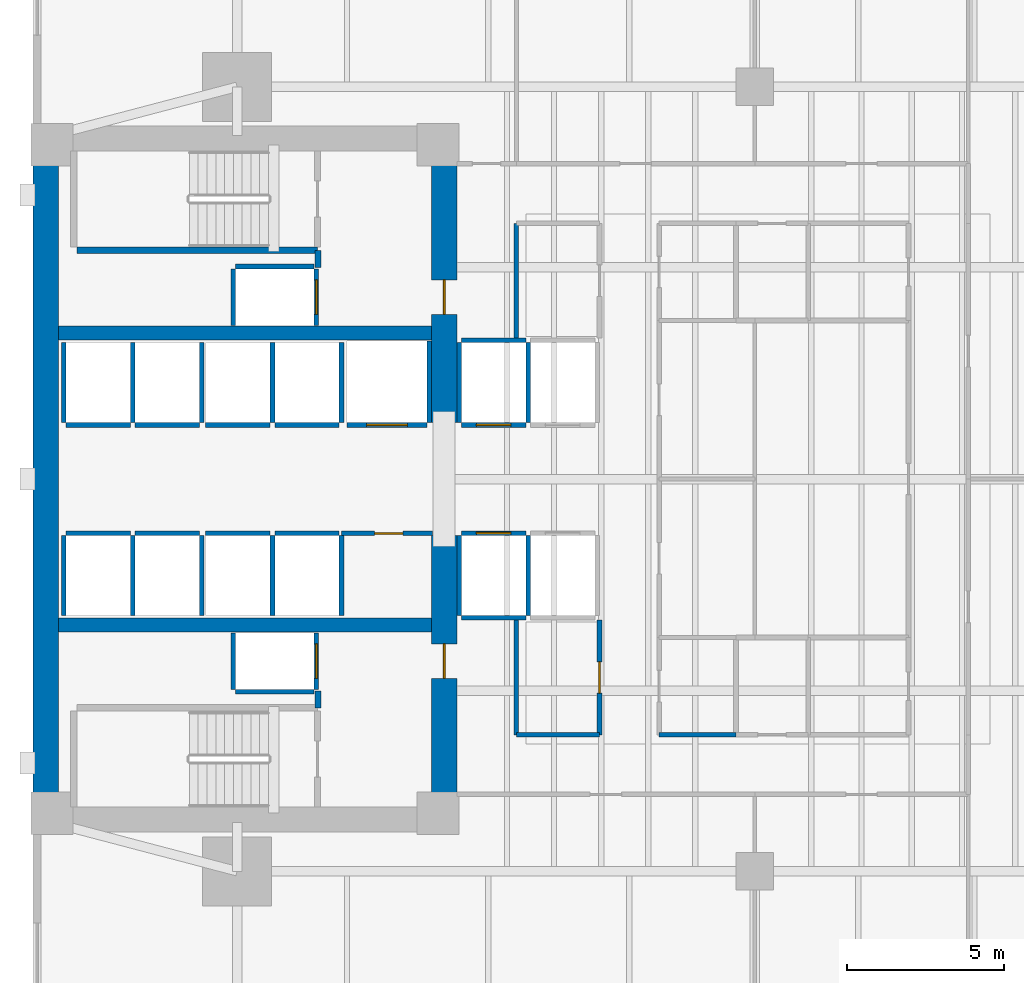
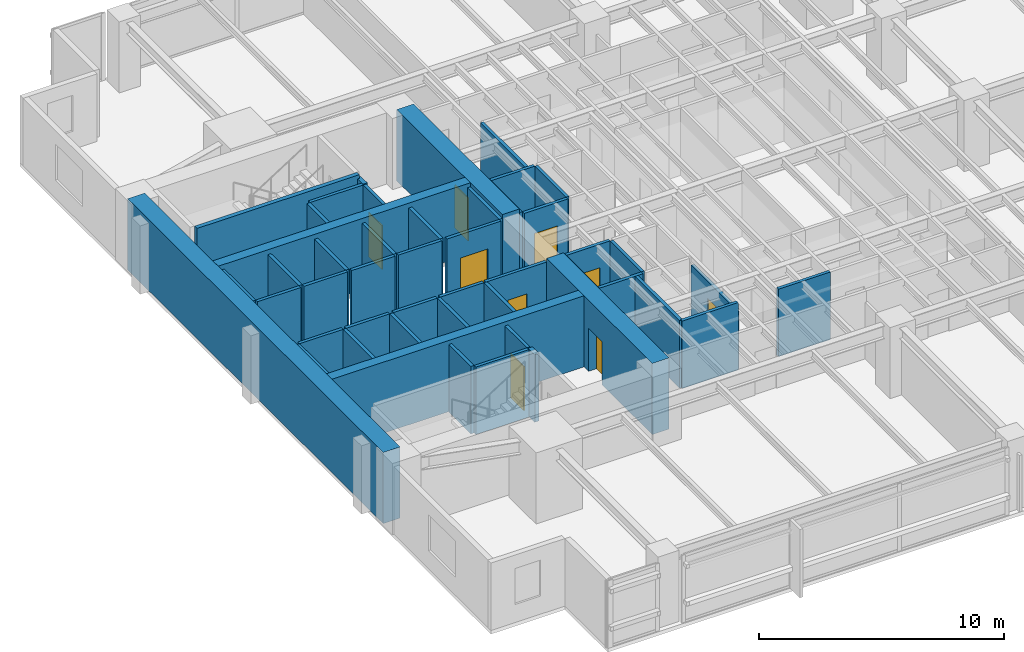
# One storey, part 8 of 15: 48 walls, 9 doors, 9 openings.
"""IFC4 building model written with IfcOpenShell, lengths in metres."""

import ifcopenshell
import ifcopenshell.guid

model = None  # the IFC model being written
_history = None  # IfcOwnerHistory: only IFC2X3 demands one
_inside = {}  # id of a spatial element -> (the spatial element, [elements in it])
_under = {}  # id of a project, library or spatial element -> (it, [spatial elements below it])
_declared = {}  # id of a project -> (the project, [libraries it declares])
_typed = {}  # id of a type object -> (the type object, [elements of that type])
_made_of = {}  # id of a material, layer set ... -> (it, [elements and type objects made of it])


def new_model(schema):
    """Start an empty IFC model of exactly this schema.

    Asked for "IFC4X3", IfcOpenShell would pick the latest addendum, in which some entities
    have other attributes; the version numbers below select the first issue.
    IFC2X3 requires an IfcOwnerHistory on every rooted entity: one is made here for all.
    """
    global model, _history
    if schema == "IFC4X3":
        model = ifcopenshell.file(schema_version=(4, 3, 0, 0))
    else:
        model = ifcopenshell.file(schema=schema)
    _inside.clear()
    _under.clear()
    _declared.clear()
    _typed.clear()
    _made_of.clear()
    _history = None
    if model.schema == "IFC2X3":
        org = make("IfcOrganization", Name="unknown")
        user = make(
            "IfcPersonAndOrganization",
            ThePerson=make("IfcPerson", FamilyName="unknown"),
            TheOrganization=org,
        )
        app = make(
            "IfcApplication",
            ApplicationDeveloper=org,
            Version="unknown",
            ApplicationFullName="unknown",
            ApplicationIdentifier="unknown",
        )
        _history = make(
            "IfcOwnerHistory",
            OwningUser=user,
            OwningApplication=app,
            ChangeAction="ADDED",
            CreationDate=0,
        )
    return model


def make(cls, **values):
    """One entity of the class cls with the attributes given. An attribute that is None is left unset."""
    return model.create_entity(
        cls, **{name: value for name, value in values.items() if value is not None}
    )


def rooted(cls, **values):
    """An entity with a GlobalId (a new one), such as an element, a storey or a relation."""
    return make(cls, GlobalId=ifcopenshell.guid.new(), OwnerHistory=_history, **values)


def si_unit(unit_type, name, prefix=None):
    """IfcSIUnit, for example si_unit("LENGTHUNIT", "METRE", prefix="MILLI")."""
    return make("IfcSIUnit", UnitType=unit_type, Prefix=prefix, Name=name)


def assignment(units):
    """IfcUnitAssignment: the units of a project."""
    return None if units is None else make("IfcUnitAssignment", Units=units)


def point(xyz):
    """IfcCartesianPoint."""
    return None if xyz is None else make("IfcCartesianPoint", Coordinates=xyz)


def direction(xyz):
    """IfcDirection."""
    return None if xyz is None else make("IfcDirection", DirectionRatios=xyz)


def frame(location, z_axis=None, x_axis=None):
    """IfcAxis2Placement3D, a coordinate frame: its origin and axes. An axis left out is left unset."""
    return make(
        "IfcAxis2Placement3D",
        Location=point(location),
        Axis=direction(z_axis),
        RefDirection=direction(x_axis),
    )


def frame_2d(location, x_axis=None):
    """IfcAxis2Placement2D, a coordinate frame in the plane: its origin and x axis."""
    return make(
        "IfcAxis2Placement2D", Location=point(location), RefDirection=direction(x_axis)
    )


def origin():
    """The frame at (0, 0, 0) with its axes left unset."""
    return frame((0.0, 0.0, 0.0))


def place(relative_to, where):
    """IfcLocalPlacement: puts the frame where relative to a parent placement (None: the world)."""
    return make(
        "IfcLocalPlacement", PlacementRelTo=relative_to, RelativePlacement=where
    )


def context(
    kind, dimensions, precision=None, world=None, true_north=None, identifier=None
):
    """IfcGeometricRepresentationContext, for example the 3D "Model" context."""
    return make(
        "IfcGeometricRepresentationContext",
        ContextIdentifier=identifier,
        ContextType=kind,
        CoordinateSpaceDimension=dimensions,
        Precision=precision,
        WorldCoordinateSystem=world,
        TrueNorth=true_north,
    )


def subcontext(parent, identifier, kind, view, scale=None):
    """IfcGeometricRepresentationSubContext, for example "Body" below "Model"."""
    return make(
        "IfcGeometricRepresentationSubContext",
        ContextIdentifier=identifier,
        ContextType=kind,
        ParentContext=parent,
        TargetScale=scale,
        TargetView=view,
    )


def project(units=None, contexts=None):
    """IfcProject with its units and contexts."""
    return rooted(
        "IfcProject",
        Name="project",
        RepresentationContexts=contexts,
        UnitsInContext=assignment(units),
    )


def spatial(cls, under=None, at=None, **own):
    """A site, building, storey or space (cls), placed at a placement, below another one or the project."""
    s = rooted(cls, ObjectPlacement=at, **own)
    if under is not None:
        _under.setdefault(under.id(), (under, []))[1].append(s)
    return s


def profile(cls, at=None, kind="AREA", **sizes):
    """A parametric profile (cls). Its sizes go by their IFC names, for example OverallWidth=200.0."""
    return make(cls, ProfileType=kind, Position=at, **sizes)


def rectangle(**sizes):
    """IfcRectangleProfileDef."""
    return profile("IfcRectangleProfileDef", **sizes)


def extrude(swept, where, along, depth):
    """IfcExtrudedAreaSolid: the profile swept, set in the frame where, extruded along a direction by depth."""
    return make(
        "IfcExtrudedAreaSolid",
        SweptArea=swept,
        Position=where,
        ExtrudedDirection=direction(along),
        Depth=depth,
    )


def shape(context_of_items, identifier, shape_type, items):
    """IfcShapeRepresentation: the items that make up one representation, for example the "Body"."""
    return make(
        "IfcShapeRepresentation",
        ContextOfItems=context_of_items,
        RepresentationIdentifier=identifier,
        RepresentationType=shape_type,
        Items=items,
    )


def material(Name=None, Category=None):
    """IfcMaterial."""
    return make("IfcMaterial", Name=Name, Category=Category)


def layer(
    of_material, thickness, ventilated=None, Name=None, Category=None, Priority=None
):
    """IfcMaterialLayer: one layer of a wall or slab, of a material (None: an air gap)."""
    return make(
        "IfcMaterialLayer",
        Material=of_material,
        LayerThickness=thickness,
        IsVentilated=ventilated,
        Name=Name,
        Category=Category,
        Priority=Priority,
    )


def layer_set(layers, Name=None):
    """IfcMaterialLayerSet."""
    return make("IfcMaterialLayerSet", MaterialLayers=layers, LayerSetName=Name)


def made_of(thing, what):
    """Note that an element or type object is made of a material, layer set ...; save() writes the relation."""
    if what is not None:
        _made_of.setdefault(what.id(), (what, []))[1].append(thing)
    return thing


def type_object(cls, material=None, **own):
    """A type object (cls), such as IfcWallType, which elements share."""
    return made_of(rooted(cls, **own), material)


def element(
    cls,
    number,
    at=None,
    inside=None,
    cuts=None,
    type_object=None,
    material=None,
    context=None,
    identifier="Body",
    shape_type=None,
    held_by="IfcProductDefinitionShape",
    body=None,
    shapes=None,
    **own,
):
    """One element of the class cls, such as IfcWall. Its Tag is "e" and its number.

    at: its placement. inside: the storey or other place that contains it. cuts: it is an
    opening in that element (IfcRelVoidsElement). A single representation is given by context,
    identifier, shape_type and body (its items); several are given by shapes. held_by: the class
    of the entity that holds the representations. save() writes the other relations.
    """
    e = rooted(cls, Tag="e%d" % number, ObjectPlacement=at, **own)
    if body is not None:
        shapes = [shape(context, identifier, shape_type, body)]
    if shapes is not None:
        e.Representation = make(held_by, Representations=shapes)
    if inside is not None:
        _inside.setdefault(inside.id(), (inside, []))[1].append(e)
    if cuts is not None:
        rooted(
            "IfcRelVoidsElement", RelatingBuildingElement=cuts, RelatedOpeningElement=e
        )
    if type_object is not None:
        _typed.setdefault(type_object.id(), (type_object, []))[1].append(e)
    return made_of(e, material)


def fill(opening, filler):
    """IfcRelFillsElement: the door or window that sits in an opening."""
    return rooted(
        "IfcRelFillsElement",
        RelatingOpeningElement=opening,
        RelatedBuildingElement=filler,
    )


def aggregate(whole, parts):
    """IfcRelAggregates: a whole, such as a stair, and the parts it consists of."""
    return rooted("IfcRelAggregates", RelatingObject=whole, RelatedObjects=parts)


def save(model, path):
    """Write the relations noted so far, then the file.

    IfcRelAggregates (storeys below a building ...), IfcRelContainedInSpatialStructure (elements
    in a storey), IfcRelDefinesByType, IfcRelAssociatesMaterial and IfcRelDeclares: one each for
    every whole, place, type object, material and project.
    """
    for whole, parts in _under.values():
        aggregate(whole, parts)
    for where, things in _inside.values():
        rooted(
            "IfcRelContainedInSpatialStructure",
            RelatedElements=things,
            RelatingStructure=where,
        )
    for kind, things in _typed.values():
        rooted("IfcRelDefinesByType", RelatedObjects=things, RelatingType=kind)
    for what, things in _made_of.values():
        rooted("IfcRelAssociatesMaterial", RelatedObjects=things, RelatingMaterial=what)
    for by, libraries in _declared.values():
        rooted("IfcRelDeclares", RelatingContext=by, RelatedDefinitions=libraries)
    model.write(path)


model = new_model("IFC4")

# Units and contexts
model_context = context("Model", 3, precision=1e-05, world=origin(), true_north=direction((0.0, 1.0)))
body_context = subcontext(model_context, "Body", "Model", "MODEL_VIEW")
ifc_project = project(units=[si_unit("LENGTHUNIT", "METRE"), si_unit("AREAUNIT", "SQUARE_METRE"), si_unit("VOLUMEUNIT", "CUBIC_METRE"), si_unit("PLANEANGLEUNIT", "RADIAN"), si_unit("MASSUNIT", "GRAM", prefix="KILO")], contexts=[model_context])

# Site, building, storey
site_placement = place(None, origin())
site = spatial("IfcSite", under=ifc_project, at=site_placement, CompositionType="ELEMENT")
building_placement = place(site_placement, origin())
building = spatial("IfcBuilding", under=site, at=building_placement, Name="Kinhvarn Gate Tower", CompositionType="ELEMENT")
storey_placement = place(building_placement, frame((0.0, 0.0, 43.35009765625)))
storey = spatial("IfcBuildingStorey", under=building, at=storey_placement, Name="L10", CompositionType="ELEMENT", Elevation=43.35009765625)

# Walls
ifc_material_1 = material(Name="Concrete C50/60", Category="concrete")
ifc_layer_1 = layer(ifc_material_1, 0.449951171875)
ifc_layer_set_1 = layer_set([ifc_layer_1], Name="Concrete C50/60")
wall_type_1 = type_object("IfcWallType", Name="WL-CORE-450", PredefinedType="SHEAR", material=ifc_layer_set_1)
for number, where, z_axis, x_axis, name in (
    (1, (5.300048828125, 20.60009765625, 0.0), (0.0, 0.0, 1.0), (1.0, 0.0, 0.0), "Core South Spine Shear Wall L10 450 mm"),
    (2, (5.300048828125, 29.89990234375, 0.0), (0.0, 0.0, 1.0), (1.0, 0.0, 0.0), "Core North Spine Shear Wall L10 450 mm"),
):
    element("IfcWall", number, at=place(storey_placement, frame(where, z_axis=z_axis, x_axis=x_axis)), inside=storey, type_object=wall_type_1, Name=name, PredefinedType="SHEAR", context=body_context, shape_type="SweptSolid", body=[
        extrude(rectangle(XDim=11.89990234375, YDim=0.449951171875, at=frame_2d((5.949951171875, 0.0))), origin(), (0.0, 0.0, 1.0), 3.5498046875),
    ])

# Wall, opening, door
ifc_material_2 = material(Name="Concrete C70/85", Category="concrete")
ifc_layer_2 = layer(ifc_material_2, 0.800048828125)
ifc_layer_set_2 = layer_set([ifc_layer_2], Name="Concrete C70/85")
wall_type_2 = type_object("IfcWallType", Name="WL-CORE-800", PredefinedType="SHEAR", material=ifc_layer_set_2)
wall_1_placement = place(storey_placement, frame((17.60009765625, 14.800048828125, 0.0), z_axis=(0.0, 0.0, 1.0), x_axis=(0.0, 1.0, 0.0)))
wall_1 = element("IfcWall", 3, at=wall_1_placement, inside=storey, type_object=wall_type_2, Name="Core East-South Shear Pier L10 800 mm", PredefinedType="SHEAR", context=body_context, shape_type="SweptSolid", body=[
    extrude(rectangle(XDim=8.64990234375, YDim=0.800048828125, at=frame_2d((4.324951171875, 0.0))), origin(), (0.0, 0.0, 1.0), 3.5498046875),
])
opening_1_placement = place(wall_1_placement, frame((4.10009765625, 0.0, 0.0)))
opening_1 = element("IfcOpeningElement", 4, at=opening_1_placement, cuts=wall_1, Name="Opening FD-02", PredefinedType="OPENING", context=body_context, shape_type="SweptSolid", body=[
    extrude(rectangle(XDim=1.10009765625, YDim=2.14990234375, at=frame_2d((0.550048828125, 1.074951171875))), frame((0.0, 0.41015625, 0.0), z_axis=(0.0, -1.0, 0.0), x_axis=(1.0, 0.0, 0.0)), (0.0, 0.0, 1.0), 0.820068359375),
])
ifc_material_3 = material(Name="Anodised aluminium AW-6063", Category="aluminium")
door_type_1 = type_object("IfcDoorType", Name="DR-FD-1100", OperationType="NOTDEFINED", PredefinedType="DOOR", material=ifc_material_3)
door_1_placement = place(opening_1_placement, origin())
door_1 = element("IfcDoor", 5, at=door_1_placement, inside=storey, type_object=door_type_1, Name="Firefighting Lobby Core Door (L10)", OperationType="SINGLE_SWING_RIGHT", OverallHeight=2.14990234375, OverallWidth=1.10009765625, PredefinedType="DOOR", context=body_context, shape_type="SweptSolid", body=[
    extrude(rectangle(XDim=1.10009765625, YDim=2.14990234375, at=frame_2d((0.550048828125, 1.074951171875))), frame((0.0, 0.02490234375, 0.0), z_axis=(0.0, -1.0, 0.0), x_axis=(1.0, 0.0, 0.0)), (0.0, 0.0, 1.0), 0.050048828125),
])
fill(opening_1, door_1)

wall_2_placement = place(storey_placement, frame((17.60009765625, 27.050048828125, 0.0), z_axis=(0.0, 0.0, 1.0), x_axis=(0.0, 1.0, 0.0)))
wall_2 = element("IfcWall", 6, at=wall_2_placement, inside=storey, type_object=wall_type_2, Name="Core East-North Shear Pier L10 800 mm", PredefinedType="SHEAR", context=body_context, shape_type="SweptSolid", body=[
    extrude(rectangle(XDim=8.64990234375, YDim=0.800048828125, at=frame_2d((4.324951171875, 0.0))), origin(), (0.0, 0.0, 1.0), 3.5498046875),
])
opening_2_placement = place(wall_2_placement, frame((3.449951171875, 0.0, 0.0)))
opening_2 = element("IfcOpeningElement", 7, at=opening_2_placement, cuts=wall_2, Name="Opening FD-02", PredefinedType="OPENING", context=body_context, shape_type="SweptSolid", body=[
    extrude(rectangle(XDim=1.10009765625, YDim=2.14990234375, at=frame_2d((0.550048828125, 1.074951171875))), frame((0.0, 0.41015625, 0.0), z_axis=(0.0, -1.0, 0.0), x_axis=(1.0, 0.0, 0.0)), (0.0, 0.0, 1.0), 0.820068359375),
])
door_2_placement = place(opening_2_placement, origin())
door_2 = element("IfcDoor", 8, at=door_2_placement, inside=storey, type_object=door_type_1, Name="Firefighting Lobby Core Door (L10)", OperationType="SINGLE_SWING_LEFT", OverallHeight=2.14990234375, OverallWidth=1.10009765625, PredefinedType="DOOR", context=body_context, shape_type="SweptSolid", body=[
    extrude(rectangle(XDim=1.10009765625, YDim=2.14990234375, at=frame_2d((0.550048828125, 1.074951171875))), frame((0.0, 0.02490234375, 0.0), z_axis=(0.0, -1.0, 0.0), x_axis=(1.0, 0.0, 0.0)), (0.0, 0.0, 1.0), 0.050048828125),
])
fill(opening_2, door_2)

# Wall
ifc_layer_3 = layer(ifc_material_2, 0.800048828125)
ifc_layer_set_3 = layer_set([ifc_layer_3], Name="Concrete C70/85")
wall_type_3 = type_object("IfcWallType", Name="WL-COREX-800", PredefinedType="SHEAR", material=ifc_layer_set_3)
wall_3_placement = place(storey_placement, frame((4.89990234375, 14.800048828125, 0.0), z_axis=(0.0, 0.0, 1.0), x_axis=(0.0, 1.0, 0.0)))
element("IfcWall", 9, at=wall_3_placement, inside=storey, type_object=wall_type_3, Name="Core West Shear Wall L10 800 mm", PredefinedType="SHEAR", context=body_context, shape_type="SweptSolid", body=[
    extrude(rectangle(XDim=20.89990234375, YDim=0.800048828125, at=frame_2d((10.449951171875, 0.0))), origin(), (0.0, 0.0, 1.0), 3.5498046875),
])

# Wall, opening, door
ifc_material_4 = material(Name="Gypsum acoustic partition board")
ifc_layer_4 = layer(ifc_material_4, 0.14990234375)
ifc_layer_set_4 = layer_set([ifc_layer_4], Name="Gypsum acoustic partition board")
wall_type_4 = type_object("IfcWallType", Name="WL-PRT-150F", PredefinedType="PARTITIONING", material=ifc_layer_set_4)
wall_4_placement = place(storey_placement, frame((14.330078125, 23.52001953125, 0.0), z_axis=(0.0, 0.0, 1.0), x_axis=(1.0, 0.0, 0.0)))
wall_4 = element("IfcWall", 10, at=wall_4_placement, inside=storey, type_object=wall_type_4, Name="Interior Partition PW-150F (L10)", PredefinedType="PARTITIONING", context=body_context, shape_type="SweptSolid", body=[
    extrude(rectangle(XDim=2.889892578125, YDim=0.14990234375, at=frame_2d((1.44482421875, 0.0))), origin(), (0.0, 0.0, 1.0), 3.369873046875),
])
opening_3_placement = place(wall_4_placement, frame((1.052734375, 0.0, 0.0)))
opening_3 = element("IfcOpeningElement", 11, at=opening_3_placement, cuts=wall_4, Name="Opening FD-04", PredefinedType="OPENING", context=body_context, shape_type="SweptSolid", body=[
    extrude(rectangle(XDim=0.89990234375, YDim=2.10009765625, at=frame_2d((0.449951171875, 1.050048828125))), frame((0.0, 0.0849609375, 0.0), z_axis=(0.0, -1.0, 0.0), x_axis=(1.0, 0.0, 0.0)), (0.0, 0.0, 1.0), 0.169921875),
])
door_type_2 = type_object("IfcDoorType", Name="DR-FD-900", OperationType="NOTDEFINED", PredefinedType="DOOR", material=ifc_material_3)
door_3_placement = place(opening_3_placement, origin())
door_3 = element("IfcDoor", 12, at=door_3_placement, inside=storey, type_object=door_type_2, Name="Rated Riser & Service Closet Fire Door 900x2100 mm (L10)", OperationType="SINGLE_SWING_LEFT", OverallHeight=2.10009765625, OverallWidth=0.89990234375, PredefinedType="DOOR", context=body_context, shape_type="SweptSolid", body=[
    extrude(rectangle(XDim=0.89990234375, YDim=2.10009765625, at=frame_2d((0.449951171875, 1.050048828125))), frame((0.0, 0.02490234375, 0.0), z_axis=(0.0, -1.0, 0.0), x_axis=(1.0, 0.0, 0.0)), (0.0, 0.0, 1.0), 0.050048828125),
])
fill(opening_3, door_3)

wall_5_placement = place(storey_placement, frame((22.550048828125, 17.10009765625, 0.0), z_axis=(0.0, 0.0, 1.0), x_axis=(0.0, 1.0, 0.0)))
wall_5 = element("IfcWall", 13, at=wall_5_placement, inside=storey, type_object=wall_type_4, Name="Interior Partition PW-150F (L10)", PredefinedType="PARTITIONING", context=body_context, shape_type="SweptSolid", body=[
    extrude(rectangle(XDim=3.64990234375, YDim=0.14990234375, at=frame_2d((1.824951171875, 0.0))), origin(), (0.0, 0.0, 1.0), 3.010009765625),
])
opening_4_placement = place(wall_5_placement, frame((1.324951171875, 0.0, 0.0)))
opening_4 = element("IfcOpeningElement", 14, at=opening_4_placement, cuts=wall_5, Name="Opening ID-02", PredefinedType="OPENING", context=body_context, shape_type="SweptSolid", body=[
    extrude(rectangle(XDim=1.0, YDim=2.14990234375, at=frame_2d((0.5, 1.074951171875))), frame((0.0, 0.0849609375, 0.0), z_axis=(0.0, -1.0, 0.0), x_axis=(1.0, 0.0, 0.0)), (0.0, 0.0, 1.0), 0.169921875),
])
door_type_3 = type_object("IfcDoorType", Name="DR-INT-1000", OperationType="NOTDEFINED", PredefinedType="DOOR", material=ifc_material_3)
door_4_placement = place(opening_4_placement, origin())
door_4 = element("IfcDoor", 15, at=door_4_placement, inside=storey, type_object=door_type_3, Name="Standard Office & Meeting Room Door 1000x2150 mm (L10)", OperationType="SINGLE_SWING_RIGHT", OverallHeight=2.14990234375, OverallWidth=1.0, PredefinedType="DOOR", context=body_context, shape_type="SweptSolid", body=[
    extrude(rectangle(XDim=1.0, YDim=2.14990234375, at=frame_2d((0.5, 1.074951171875))), frame((0.0, 0.02490234375, 0.0), z_axis=(0.0, -1.0, 0.0), x_axis=(1.0, 0.0, 0.0)), (0.0, 0.0, 1.0), 0.050048828125),
])
fill(opening_4, door_4)

# Walls
for number, where, z_axis, x_axis, name in (
    (16, (19.89990234375, 17.10009765625, 0.0), (0.0, 0.0, 1.0), (0.0, 1.0, 0.0), "Interior Partition PW-150F (L10)"),
    (17, (19.89990234375, 29.75, 0.0), (0.0, 0.0, 1.0), (0.0, 1.0, 0.0), "Interior Partition PW-150F (L10)"),
):
    element("IfcWall", number, at=place(storey_placement, frame(where, z_axis=z_axis, x_axis=x_axis)), inside=storey, type_object=wall_type_4, Name=name, PredefinedType="PARTITIONING", context=body_context, shape_type="SweptSolid", body=[
        extrude(rectangle(XDim=3.64990234375, YDim=0.14990234375, at=frame_2d((1.824951171875, 0.0))), origin(), (0.0, 0.0, 1.0), 3.369873046875),
    ])
wall_6_placement = place(storey_placement, frame((19.89990234375, 17.10009765625, 0.0), z_axis=(0.0, 0.0, 1.0), x_axis=(1.0, 0.0, 0.0)))
element("IfcWall", 18, at=wall_6_placement, inside=storey, type_object=wall_type_4, Name="Interior Partition PW-150F (L10)", PredefinedType="PARTITIONING", context=body_context, shape_type="SweptSolid", body=[
    extrude(rectangle(XDim=2.650146484375, YDim=0.14990234375, at=frame_2d((1.3251953125, 0.0))), origin(), (0.0, 0.0, 1.0), 3.369873046875),
])
wall_7_placement = place(storey_placement, frame((24.449951171875, 17.10009765625, 0.0), z_axis=(0.0, 0.0, 1.0), x_axis=(1.0, 0.0, 0.0)))
element("IfcWall", 19, at=wall_7_placement, inside=storey, type_object=wall_type_4, Name="Interior Partition PW-150F (L10)", PredefinedType="PARTITIONING", context=body_context, shape_type="SweptSolid", body=[
    extrude(rectangle(XDim=2.449951171875, YDim=0.14990234375, at=frame_2d((1.22509765625, 0.0))), origin(), (0.0, 0.0, 1.0), 3.369873046875),
])
ifc_layer_5 = layer(ifc_material_4, 0.199951171875)
ifc_layer_set_5 = layer_set([ifc_layer_5], Name="Gypsum acoustic partition board")
wall_type_5 = type_object("IfcWallType", Name="WL-PRT-200", PredefinedType="PARTITIONING", material=ifc_layer_set_5)
for number, where, z_axis, x_axis, name in (
    (20, (13.580078125, 17.9599609375, 0.0), (0.0, 0.0, 1.0), (0.0, 1.0, 0.0), "Interior Partition PW-200 (L10)"),
    (21, (13.580078125, 32.0, 0.0), (0.0, 0.0, 1.0), (0.0, 1.0, 0.0), "Interior Partition PW-200 (L10)"),
):
    element("IfcWall", number, at=place(storey_placement, frame(where, z_axis=z_axis, x_axis=x_axis)), inside=storey, type_object=wall_type_5, Name=name, PredefinedType="PARTITIONING", context=body_context, shape_type="SweptSolid", body=[
        extrude(rectangle(XDim=0.5400390625, YDim=0.199951171875, at=frame_2d((0.27001953125, 0.0))), origin(), (0.0, 0.0, 1.0), 3.369873046875),
    ])
ifc_layer_6 = layer(ifc_material_4, 0.14990234375)
ifc_layer_set_6 = layer_set([ifc_layer_6], Name="Gypsum acoustic partition board")
wall_type_6 = type_object("IfcWallType", Name="WL-SHF-150", PredefinedType="PARTITIONING", material=ifc_layer_set_6)
wall_8_placement = place(storey_placement, frame((18.14990234375, 20.824951171875, 0.0), z_axis=(0.0, 0.0, 1.0), x_axis=(1.0, 0.0, 0.0)))
element("IfcWall", 22, at=wall_8_placement, inside=storey, type_object=wall_type_6, Name="Elevator PL-01 Hoistway Wall S (L10)", PredefinedType="PARTITIONING", context=body_context, shape_type="SweptSolid", body=[
    extrude(rectangle(XDim=2.050048828125, YDim=0.14990234375, at=frame_2d((1.02490234375, 0.0))), origin(), (0.0, 0.0, 1.0), 3.369873046875),
])

# Wall, opening, door
wall_9_placement = place(storey_placement, frame((18.14990234375, 23.52490234375, 0.0), z_axis=(0.0, 0.0, 1.0), x_axis=(1.0, 0.0, 0.0)))
wall_9 = element("IfcWall", 23, at=wall_9_placement, inside=storey, type_object=wall_type_6, Name="Elevator PL-01 Landing Wall (L10)", PredefinedType="PARTITIONING", context=body_context, shape_type="SweptSolid", body=[
    extrude(rectangle(XDim=2.050048828125, YDim=0.14990234375, at=frame_2d((1.02490234375, 0.0))), origin(), (0.0, 0.0, 1.0), 3.369873046875),
])
opening_5_placement = place(wall_9_placement, frame((0.47509765625, 0.0, 0.0)))
opening_5 = element("IfcOpeningElement", 24, at=opening_5_placement, cuts=wall_9, Name="Opening LD-01", PredefinedType="OPENING", context=body_context, shape_type="SweptSolid", body=[
    extrude(rectangle(XDim=1.10009765625, YDim=2.199951171875, at=frame_2d((0.550048828125, 1.10009765625))), frame((0.0, 0.0849609375, 0.0), z_axis=(0.0, -1.0, 0.0), x_axis=(1.0, 0.0, 0.0)), (0.0, 0.0, 1.0), 0.169921875),
])
door_type_4 = type_object("IfcDoorType", Name="DR-LND-PAS", OperationType="NOTDEFINED", PredefinedType="DOOR", material=ifc_material_3)
door_5_placement = place(opening_5_placement, origin())
door_5 = element("IfcDoor", 25, at=door_5_placement, inside=storey, type_object=door_type_4, Name="Elevator PL-01 Sliding Landing Door (L10)", OperationType="DOUBLE_DOOR_SLIDING", OverallHeight=2.199951171875, OverallWidth=1.10009765625, PredefinedType="DOOR", context=body_context, shape_type="SweptSolid", body=[
    extrude(rectangle(XDim=1.10009765625, YDim=2.199951171875, at=frame_2d((0.550048828125, 1.10009765625))), frame((0.0, 0.02490234375, 0.0), z_axis=(0.0, -1.0, 0.0), x_axis=(1.0, 0.0, 0.0)), (0.0, 0.0, 1.0), 0.050048828125),
])
fill(opening_5, door_5)

# Walls
for number, where, z_axis, x_axis, name in (
    (26, (18.074951171875, 20.89990234375, 0.0), (0.0, 0.0, 1.0), (0.0, 1.0, 0.0), "Elevator PL-01 Hoistway Wall W (L10)"),
    (27, (20.27490234375, 20.89990234375, 0.0), (0.0, 0.0, 1.0), (0.0, 1.0, 0.0), "Elevator PL-01 Hoistway Wall E (L10)"),
):
    element("IfcWall", number, at=place(storey_placement, frame(where, z_axis=z_axis, x_axis=x_axis)), inside=storey, type_object=wall_type_6, Name=name, PredefinedType="PARTITIONING", context=body_context, shape_type="SweptSolid", body=[
        extrude(rectangle(XDim=2.550048828125, YDim=0.14990234375, at=frame_2d((1.27490234375, 0.0))), origin(), (0.0, 0.0, 1.0), 3.369873046875),
    ])

# Wall, opening, door
wall_10_placement = place(storey_placement, frame((18.14990234375, 26.97509765625, 0.0), z_axis=(0.0, 0.0, 1.0), x_axis=(1.0, 0.0, 0.0)))
wall_10 = element("IfcWall", 28, at=wall_10_placement, inside=storey, type_object=wall_type_6, Name="Elevator PL-03 Landing Wall (L10)", PredefinedType="PARTITIONING", context=body_context, shape_type="SweptSolid", body=[
    extrude(rectangle(XDim=2.050048828125, YDim=0.14990234375, at=frame_2d((1.02490234375, 0.0))), origin(), (0.0, 0.0, 1.0), 3.369873046875),
])
opening_6_placement = place(wall_10_placement, frame((0.47509765625, 0.0, 0.0)))
opening_6 = element("IfcOpeningElement", 29, at=opening_6_placement, cuts=wall_10, Name="Opening LD-01", PredefinedType="OPENING", context=body_context, shape_type="SweptSolid", body=[
    extrude(rectangle(XDim=1.10009765625, YDim=2.199951171875, at=frame_2d((0.550048828125, 1.10009765625))), frame((0.0, 0.0849609375, 0.0), z_axis=(0.0, -1.0, 0.0), x_axis=(1.0, 0.0, 0.0)), (0.0, 0.0, 1.0), 0.169921875),
])
door_6_placement = place(opening_6_placement, origin())
door_6 = element("IfcDoor", 30, at=door_6_placement, inside=storey, type_object=door_type_4, Name="Elevator PL-03 Sliding Landing Door (L10)", OperationType="DOUBLE_DOOR_SLIDING", OverallHeight=2.199951171875, OverallWidth=1.10009765625, PredefinedType="DOOR", context=body_context, shape_type="SweptSolid", body=[
    extrude(rectangle(XDim=1.10009765625, YDim=2.199951171875, at=frame_2d((0.550048828125, 1.10009765625))), frame((0.0, 0.02490234375, 0.0), z_axis=(0.0, -1.0, 0.0), x_axis=(1.0, 0.0, 0.0)), (0.0, 0.0, 1.0), 0.050048828125),
])
fill(opening_6, door_6)

# Walls
wall_11_placement = place(storey_placement, frame((18.14990234375, 29.675048828125, 0.0), z_axis=(0.0, 0.0, 1.0), x_axis=(1.0, 0.0, 0.0)))
element("IfcWall", 31, at=wall_11_placement, inside=storey, type_object=wall_type_6, Name="Elevator PL-03 Hoistway Wall N (L10)", PredefinedType="PARTITIONING", context=body_context, shape_type="SweptSolid", body=[
    extrude(rectangle(XDim=2.050048828125, YDim=0.14990234375, at=frame_2d((1.02490234375, 0.0))), origin(), (0.0, 0.0, 1.0), 3.369873046875),
])
for number, where, z_axis, x_axis, name in (
    (32, (18.074951171875, 27.050048828125, 0.0), (0.0, 0.0, 1.0), (0.0, 1.0, 0.0), "Elevator PL-03 Hoistway Wall W (L10)"),
    (33, (20.27490234375, 27.050048828125, 0.0), (0.0, 0.0, 1.0), (0.0, 1.0, 0.0), "Elevator PL-03 Hoistway Wall E (L10)"),
):
    element("IfcWall", number, at=place(storey_placement, frame(where, z_axis=z_axis, x_axis=x_axis)), inside=storey, type_object=wall_type_6, Name=name, PredefinedType="PARTITIONING", context=body_context, shape_type="SweptSolid", body=[
        extrude(rectangle(XDim=2.550048828125, YDim=0.14990234375, at=frame_2d((1.27490234375, 0.0))), origin(), (0.0, 0.0, 1.0), 3.369873046875),
    ])
wall_12_placement = place(storey_placement, frame((5.550048828125, 23.52490234375, 0.0), z_axis=(0.0, 0.0, 1.0), x_axis=(1.0, 0.0, 0.0)))
element("IfcWall", 34, at=wall_12_placement, inside=storey, type_object=wall_type_6, Name="Elevator PM-05 Landing Wall (L10)", PredefinedType="PARTITIONING", context=body_context, shape_type="SweptSolid", body=[
    extrude(rectangle(XDim=2.050048828125, YDim=0.14990234375, at=frame_2d((1.02490234375, 0.0))), origin(), (0.0, 0.0, 1.0), 3.369873046875),
])
for number, where, z_axis, x_axis, name in (
    (35, (5.47509765625, 20.89990234375, 0.0), (0.0, 0.0, 1.0), (0.0, 1.0, 0.0), "Elevator PM-05 Hoistway Wall W (L10)"),
    (36, (7.675048828125, 20.89990234375, 0.0), (0.0, 0.0, 1.0), (0.0, 1.0, 0.0), "Elevator PM-05 Hoistway Wall E (L10)"),
):
    element("IfcWall", number, at=place(storey_placement, frame(where, z_axis=z_axis, x_axis=x_axis)), inside=storey, type_object=wall_type_6, Name=name, PredefinedType="PARTITIONING", context=body_context, shape_type="SweptSolid", body=[
        extrude(rectangle(XDim=2.550048828125, YDim=0.14990234375, at=frame_2d((1.27490234375, 0.0))), origin(), (0.0, 0.0, 1.0), 3.369873046875),
    ])
wall_13_placement = place(storey_placement, frame((7.75, 23.52490234375, 0.0), z_axis=(0.0, 0.0, 1.0), x_axis=(1.0, 0.0, 0.0)))
element("IfcWall", 37, at=wall_13_placement, inside=storey, type_object=wall_type_6, Name="Elevator PM-06 Landing Wall (L10)", PredefinedType="PARTITIONING", context=body_context, shape_type="SweptSolid", body=[
    extrude(rectangle(XDim=2.050048828125, YDim=0.14990234375, at=frame_2d((1.02490234375, 0.0))), origin(), (0.0, 0.0, 1.0), 3.369873046875),
])
wall_14_placement = place(storey_placement, frame((9.875, 20.89990234375, 0.0), z_axis=(0.0, 0.0, 1.0), x_axis=(0.0, 1.0, 0.0)))
element("IfcWall", 38, at=wall_14_placement, inside=storey, type_object=wall_type_6, Name="Elevator PM-06 Hoistway Wall E (L10)", PredefinedType="PARTITIONING", context=body_context, shape_type="SweptSolid", body=[
    extrude(rectangle(XDim=2.550048828125, YDim=0.14990234375, at=frame_2d((1.27490234375, 0.0))), origin(), (0.0, 0.0, 1.0), 3.369873046875),
])
wall_15_placement = place(storey_placement, frame((5.550048828125, 26.97509765625, 0.0), z_axis=(0.0, 0.0, 1.0), x_axis=(1.0, 0.0, 0.0)))
element("IfcWall", 39, at=wall_15_placement, inside=storey, type_object=wall_type_6, Name="Elevator PM-07 Landing Wall (L10)", PredefinedType="PARTITIONING", context=body_context, shape_type="SweptSolid", body=[
    extrude(rectangle(XDim=2.050048828125, YDim=0.14990234375, at=frame_2d((1.02490234375, 0.0))), origin(), (0.0, 0.0, 1.0), 3.369873046875),
])
for number, where, z_axis, x_axis, name in (
    (40, (5.47509765625, 27.050048828125, 0.0), (0.0, 0.0, 1.0), (0.0, 1.0, 0.0), "Elevator PM-07 Hoistway Wall W (L10)"),
    (41, (7.675048828125, 27.050048828125, 0.0), (0.0, 0.0, 1.0), (0.0, 1.0, 0.0), "Elevator PM-07 Hoistway Wall E (L10)"),
):
    element("IfcWall", number, at=place(storey_placement, frame(where, z_axis=z_axis, x_axis=x_axis)), inside=storey, type_object=wall_type_6, Name=name, PredefinedType="PARTITIONING", context=body_context, shape_type="SweptSolid", body=[
        extrude(rectangle(XDim=2.550048828125, YDim=0.14990234375, at=frame_2d((1.27490234375, 0.0))), origin(), (0.0, 0.0, 1.0), 3.369873046875),
    ])
wall_16_placement = place(storey_placement, frame((7.75, 26.97509765625, 0.0), z_axis=(0.0, 0.0, 1.0), x_axis=(1.0, 0.0, 0.0)))
element("IfcWall", 42, at=wall_16_placement, inside=storey, type_object=wall_type_6, Name="Elevator PM-08 Landing Wall (L10)", PredefinedType="PARTITIONING", context=body_context, shape_type="SweptSolid", body=[
    extrude(rectangle(XDim=2.050048828125, YDim=0.14990234375, at=frame_2d((1.02490234375, 0.0))), origin(), (0.0, 0.0, 1.0), 3.369873046875),
])
wall_17_placement = place(storey_placement, frame((9.875, 27.050048828125, 0.0), z_axis=(0.0, 0.0, 1.0), x_axis=(0.0, 1.0, 0.0)))
element("IfcWall", 43, at=wall_17_placement, inside=storey, type_object=wall_type_6, Name="Elevator PM-08 Hoistway Wall E (L10)", PredefinedType="PARTITIONING", context=body_context, shape_type="SweptSolid", body=[
    extrude(rectangle(XDim=2.550048828125, YDim=0.14990234375, at=frame_2d((1.27490234375, 0.0))), origin(), (0.0, 0.0, 1.0), 3.369873046875),
])
wall_18_placement = place(storey_placement, frame((10.0, 23.52490234375, 0.0), z_axis=(0.0, 0.0, 1.0), x_axis=(1.0, 0.0, 0.0)))
element("IfcWall", 44, at=wall_18_placement, inside=storey, type_object=wall_type_6, Name="Elevator PH-09 Landing Wall (L10)", PredefinedType="PARTITIONING", context=body_context, shape_type="SweptSolid", body=[
    extrude(rectangle(XDim=2.050048828125, YDim=0.14990234375, at=frame_2d((1.02490234375, 0.0))), origin(), (0.0, 0.0, 1.0), 3.369873046875),
])
wall_19_placement = place(storey_placement, frame((12.125, 20.89990234375, 0.0), z_axis=(0.0, 0.0, 1.0), x_axis=(0.0, 1.0, 0.0)))
element("IfcWall", 45, at=wall_19_placement, inside=storey, type_object=wall_type_6, Name="Elevator PH-09 Hoistway Wall E (L10)", PredefinedType="PARTITIONING", context=body_context, shape_type="SweptSolid", body=[
    extrude(rectangle(XDim=2.550048828125, YDim=0.14990234375, at=frame_2d((1.27490234375, 0.0))), origin(), (0.0, 0.0, 1.0), 3.369873046875),
])
wall_20_placement = place(storey_placement, frame((12.199951171875, 23.52490234375, 0.0), z_axis=(0.0, 0.0, 1.0), x_axis=(1.0, 0.0, 0.0)))
element("IfcWall", 46, at=wall_20_placement, inside=storey, type_object=wall_type_6, Name="Elevator PH-10 Landing Wall (L10)", PredefinedType="PARTITIONING", context=body_context, shape_type="SweptSolid", body=[
    extrude(rectangle(XDim=2.050048828125, YDim=0.14990234375, at=frame_2d((1.02490234375, 0.0))), origin(), (0.0, 0.0, 1.0), 3.369873046875),
])
wall_21_placement = place(storey_placement, frame((14.324951171875, 20.89990234375, 0.0), z_axis=(0.0, 0.0, 1.0), x_axis=(0.0, 1.0, 0.0)))
element("IfcWall", 47, at=wall_21_placement, inside=storey, type_object=wall_type_6, Name="Elevator PH-10 Hoistway Wall E (L10)", PredefinedType="PARTITIONING", context=body_context, shape_type="SweptSolid", body=[
    extrude(rectangle(XDim=2.550048828125, YDim=0.14990234375, at=frame_2d((1.27490234375, 0.0))), origin(), (0.0, 0.0, 1.0), 3.369873046875),
])
wall_22_placement = place(storey_placement, frame((10.0, 26.97509765625, 0.0), z_axis=(0.0, 0.0, 1.0), x_axis=(1.0, 0.0, 0.0)))
element("IfcWall", 48, at=wall_22_placement, inside=storey, type_object=wall_type_6, Name="Elevator PH-11 Landing Wall (L10)", PredefinedType="PARTITIONING", context=body_context, shape_type="SweptSolid", body=[
    extrude(rectangle(XDim=2.050048828125, YDim=0.14990234375, at=frame_2d((1.02490234375, 0.0))), origin(), (0.0, 0.0, 1.0), 3.369873046875),
])
wall_23_placement = place(storey_placement, frame((12.125, 27.050048828125, 0.0), z_axis=(0.0, 0.0, 1.0), x_axis=(0.0, 1.0, 0.0)))
element("IfcWall", 49, at=wall_23_placement, inside=storey, type_object=wall_type_6, Name="Elevator PH-11 Hoistway Wall E (L10)", PredefinedType="PARTITIONING", context=body_context, shape_type="SweptSolid", body=[
    extrude(rectangle(XDim=2.550048828125, YDim=0.14990234375, at=frame_2d((1.27490234375, 0.0))), origin(), (0.0, 0.0, 1.0), 3.369873046875),
])
wall_24_placement = place(storey_placement, frame((12.199951171875, 26.97509765625, 0.0), z_axis=(0.0, 0.0, 1.0), x_axis=(1.0, 0.0, 0.0)))
element("IfcWall", 50, at=wall_24_placement, inside=storey, type_object=wall_type_6, Name="Elevator PH-12 Landing Wall (L10)", PredefinedType="PARTITIONING", context=body_context, shape_type="SweptSolid", body=[
    extrude(rectangle(XDim=2.050048828125, YDim=0.14990234375, at=frame_2d((1.02490234375, 0.0))), origin(), (0.0, 0.0, 1.0), 3.369873046875),
])
wall_25_placement = place(storey_placement, frame((14.324951171875, 27.050048828125, 0.0), z_axis=(0.0, 0.0, 1.0), x_axis=(0.0, 1.0, 0.0)))
element("IfcWall", 51, at=wall_25_placement, inside=storey, type_object=wall_type_6, Name="Elevator PH-12 Hoistway Wall E (L10)", PredefinedType="PARTITIONING", context=body_context, shape_type="SweptSolid", body=[
    extrude(rectangle(XDim=2.550048828125, YDim=0.14990234375, at=frame_2d((1.27490234375, 0.0))), origin(), (0.0, 0.0, 1.0), 3.369873046875),
])

# Wall, opening, door
wall_26_placement = place(storey_placement, frame((14.5, 26.97509765625, 0.0), z_axis=(0.0, 0.0, 1.0), x_axis=(1.0, 0.0, 0.0)))
wall_26 = element("IfcWall", 52, at=wall_26_placement, inside=storey, type_object=wall_type_6, Name="Elevator SV-01 Landing Wall (L10)", PredefinedType="PARTITIONING", context=body_context, shape_type="SweptSolid", body=[
    extrude(rectangle(XDim=2.550048828125, YDim=0.14990234375, at=frame_2d((1.27490234375, 0.0))), origin(), (0.0, 0.0, 1.0), 3.369873046875),
])
opening_7_placement = place(wall_26_placement, frame((0.625, 0.0, 0.0)))
opening_7 = element("IfcOpeningElement", 53, at=opening_7_placement, cuts=wall_26, Name="Opening LD-02", PredefinedType="OPENING", context=body_context, shape_type="SweptSolid", body=[
    extrude(rectangle(XDim=1.300048828125, YDim=2.199951171875, at=frame_2d((0.64990234375, 1.10009765625))), frame((0.0, 0.0849609375, 0.0), z_axis=(0.0, -1.0, 0.0), x_axis=(1.0, 0.0, 0.0)), (0.0, 0.0, 1.0), 0.169921875),
])
door_type_5 = type_object("IfcDoorType", Name="DR-LND-SRV", OperationType="NOTDEFINED", PredefinedType="DOOR", material=ifc_material_3)
door_7_placement = place(opening_7_placement, origin())
door_7 = element("IfcDoor", 54, at=door_7_placement, inside=storey, type_object=door_type_5, Name="Elevator SV-01 Sliding Landing Door (L10)", OperationType="DOUBLE_DOOR_SLIDING", OverallHeight=2.199951171875, OverallWidth=1.300048828125, PredefinedType="DOOR", context=body_context, shape_type="SweptSolid", body=[
    extrude(rectangle(XDim=1.300048828125, YDim=2.199951171875, at=frame_2d((0.64990234375, 1.10009765625))), frame((0.0, 0.02490234375, 0.0), z_axis=(0.0, -1.0, 0.0), x_axis=(1.0, 0.0, 0.0)), (0.0, 0.0, 1.0), 0.050048828125),
])
fill(opening_7, door_7)

# Walls
wall_27_placement = place(storey_placement, frame((17.125, 27.050048828125, 0.0), z_axis=(0.0, 0.0, 1.0), x_axis=(0.0, 1.0, 0.0)))
element("IfcWall", 55, at=wall_27_placement, inside=storey, type_object=wall_type_6, Name="Elevator SV-01 Hoistway Wall E (L10)", PredefinedType="PARTITIONING", context=body_context, shape_type="SweptSolid", body=[
    extrude(rectangle(XDim=2.599853515625, YDim=0.14990234375, at=frame_2d((1.2998046875, 0.0))), origin(), (0.0, 0.0, 1.0), 3.369873046875),
])
wall_28_placement = place(storey_placement, frame((10.949951171875, 18.47509765625, 0.0), z_axis=(0.0, 0.0, 1.0), x_axis=(1.0, 0.0, 0.0)))
element("IfcWall", 56, at=wall_28_placement, inside=storey, type_object=wall_type_6, Name="Elevator FF1 Hoistway Wall S (L10)", PredefinedType="PARTITIONING", context=body_context, shape_type="SweptSolid", body=[
    extrude(rectangle(XDim=2.5, YDim=0.14990234375, at=frame_2d((1.25, 0.0))), origin(), (0.0, 0.0, 1.0), 3.369873046875),
])
wall_29_placement = place(storey_placement, frame((10.875, 18.550048828125, 0.0), z_axis=(0.0, 0.0, 1.0), x_axis=(0.0, 1.0, 0.0)))
element("IfcWall", 57, at=wall_29_placement, inside=storey, type_object=wall_type_6, Name="Elevator FF1 Hoistway Wall W (L10)", PredefinedType="PARTITIONING", context=body_context, shape_type="SweptSolid", body=[
    extrude(rectangle(XDim=1.800048828125, YDim=0.14990234375, at=frame_2d((0.89990234375, 0.0))), origin(), (0.0, 0.0, 1.0), 3.369873046875),
])

# Wall, opening, door
wall_30_placement = place(storey_placement, frame((13.52490234375, 18.550048828125, 0.0), z_axis=(0.0, 0.0, 1.0), x_axis=(0.0, 1.0, 0.0)))
wall_30 = element("IfcWall", 58, at=wall_30_placement, inside=storey, type_object=wall_type_6, Name="Elevator FF1 Landing Wall (L10)", PredefinedType="PARTITIONING", context=body_context, shape_type="SweptSolid", body=[
    extrude(rectangle(XDim=1.800048828125, YDim=0.14990234375, at=frame_2d((0.89990234375, 0.0))), origin(), (0.0, 0.0, 1.0), 3.369873046875),
])
opening_8_placement = place(wall_30_placement, frame((0.35009765625, 0.0, 0.0)))
opening_8 = element("IfcOpeningElement", 59, at=opening_8_placement, cuts=wall_30, Name="Opening LD-03", PredefinedType="OPENING", context=body_context, shape_type="SweptSolid", body=[
    extrude(rectangle(XDim=1.10009765625, YDim=2.199951171875, at=frame_2d((0.550048828125, 1.10009765625))), frame((0.0, 0.0849609375, 0.0), z_axis=(0.0, -1.0, 0.0), x_axis=(1.0, 0.0, 0.0)), (0.0, 0.0, 1.0), 0.169921875),
])
door_type_6 = type_object("IfcDoorType", Name="DR-LND-FF", OperationType="NOTDEFINED", PredefinedType="DOOR", material=ifc_material_3)
door_8_placement = place(opening_8_placement, origin())
door_8 = element("IfcDoor", 60, at=door_8_placement, inside=storey, type_object=door_type_6, Name="Elevator FF1 Sliding Landing Door (L10)", OperationType="DOUBLE_DOOR_SLIDING", OverallHeight=2.199951171875, OverallWidth=1.10009765625, PredefinedType="DOOR", context=body_context, shape_type="SweptSolid", body=[
    extrude(rectangle(XDim=1.10009765625, YDim=2.199951171875, at=frame_2d((0.550048828125, 1.10009765625))), frame((0.0, 0.02490234375, 0.0), z_axis=(0.0, -1.0, 0.0), x_axis=(1.0, 0.0, 0.0)), (0.0, 0.0, 1.0), 0.050048828125),
])
fill(opening_8, door_8)

# Walls
wall_31_placement = place(storey_placement, frame((10.949951171875, 32.02490234375, 0.0), z_axis=(0.0, 0.0, 1.0), x_axis=(1.0, 0.0, 0.0)))
element("IfcWall", 61, at=wall_31_placement, inside=storey, type_object=wall_type_6, Name="Elevator FF2 Hoistway Wall N (L10)", PredefinedType="PARTITIONING", context=body_context, shape_type="SweptSolid", body=[
    extrude(rectangle(XDim=2.5, YDim=0.14990234375, at=frame_2d((1.25, 0.0))), origin(), (0.0, 0.0, 1.0), 3.369873046875),
])
wall_32_placement = place(storey_placement, frame((10.875, 30.14990234375, 0.0), z_axis=(0.0, 0.0, 1.0), x_axis=(0.0, 1.0, 0.0)))
element("IfcWall", 62, at=wall_32_placement, inside=storey, type_object=wall_type_6, Name="Elevator FF2 Hoistway Wall W (L10)", PredefinedType="PARTITIONING", context=body_context, shape_type="SweptSolid", body=[
    extrude(rectangle(XDim=1.800048828125, YDim=0.14990234375, at=frame_2d((0.89990234375, 0.0))), origin(), (0.0, 0.0, 1.0), 3.369873046875),
])

# Wall, opening, door
wall_33_placement = place(storey_placement, frame((13.52490234375, 30.14990234375, 0.0), z_axis=(0.0, 0.0, 1.0), x_axis=(0.0, 1.0, 0.0)))
wall_33 = element("IfcWall", 63, at=wall_33_placement, inside=storey, type_object=wall_type_6, Name="Elevator FF2 Landing Wall (L10)", PredefinedType="PARTITIONING", context=body_context, shape_type="SweptSolid", body=[
    extrude(rectangle(XDim=1.800048828125, YDim=0.14990234375, at=frame_2d((0.89990234375, 0.0))), origin(), (0.0, 0.0, 1.0), 3.369873046875),
])
opening_9_placement = place(wall_33_placement, frame((0.35009765625, 0.0, 0.0)))
opening_9 = element("IfcOpeningElement", 64, at=opening_9_placement, cuts=wall_33, Name="Opening LD-03", PredefinedType="OPENING", context=body_context, shape_type="SweptSolid", body=[
    extrude(rectangle(XDim=1.10009765625, YDim=2.199951171875, at=frame_2d((0.550048828125, 1.10009765625))), frame((0.0, 0.0849609375, 0.0), z_axis=(0.0, -1.0, 0.0), x_axis=(1.0, 0.0, 0.0)), (0.0, 0.0, 1.0), 0.169921875),
])
door_9_placement = place(opening_9_placement, origin())
door_9 = element("IfcDoor", 65, at=door_9_placement, inside=storey, type_object=door_type_6, Name="Elevator FF2 Sliding Landing Door (L10)", OperationType="DOUBLE_DOOR_SLIDING", OverallHeight=2.199951171875, OverallWidth=1.10009765625, PredefinedType="DOOR", context=body_context, shape_type="SweptSolid", body=[
    extrude(rectangle(XDim=1.10009765625, YDim=2.199951171875, at=frame_2d((0.550048828125, 1.10009765625))), frame((0.0, 0.02490234375, 0.0), z_axis=(0.0, -1.0, 0.0), x_axis=(1.0, 0.0, 0.0)), (0.0, 0.0, 1.0), 0.050048828125),
])
fill(opening_9, door_9)

# Wall
ifc_material_5 = material(Name="Concrete C40/50", Category="concrete")
ifc_layer_7 = layer(ifc_material_5, 0.199951171875)
ifc_layer_set_7 = layer_set([ifc_layer_7], Name="Concrete C40/50")
wall_type_7 = type_object("IfcWallType", Name="WL-SHF-200", PredefinedType="SOLIDWALL", material=ifc_layer_set_7)
wall_34_placement = place(storey_placement, frame((5.89990234375, 32.5400390625, 0.0), z_axis=(0.0, 0.0, 1.0), x_axis=(1.0, 0.0, 0.0)))
element("IfcWall", 66, at=wall_34_placement, inside=storey, type_object=wall_type_7, Name="Stair ST2 South Shaft Wall (L10)", PredefinedType="SOLIDWALL", context=body_context, shape_type="SweptSolid", body=[
    extrude(rectangle(XDim=7.66015625, YDim=0.199951171875, at=frame_2d((3.830078125, 0.0))), origin(), (0.0, 0.0, 1.0), 3.5498046875),
])

save(model, "model.ifc")
